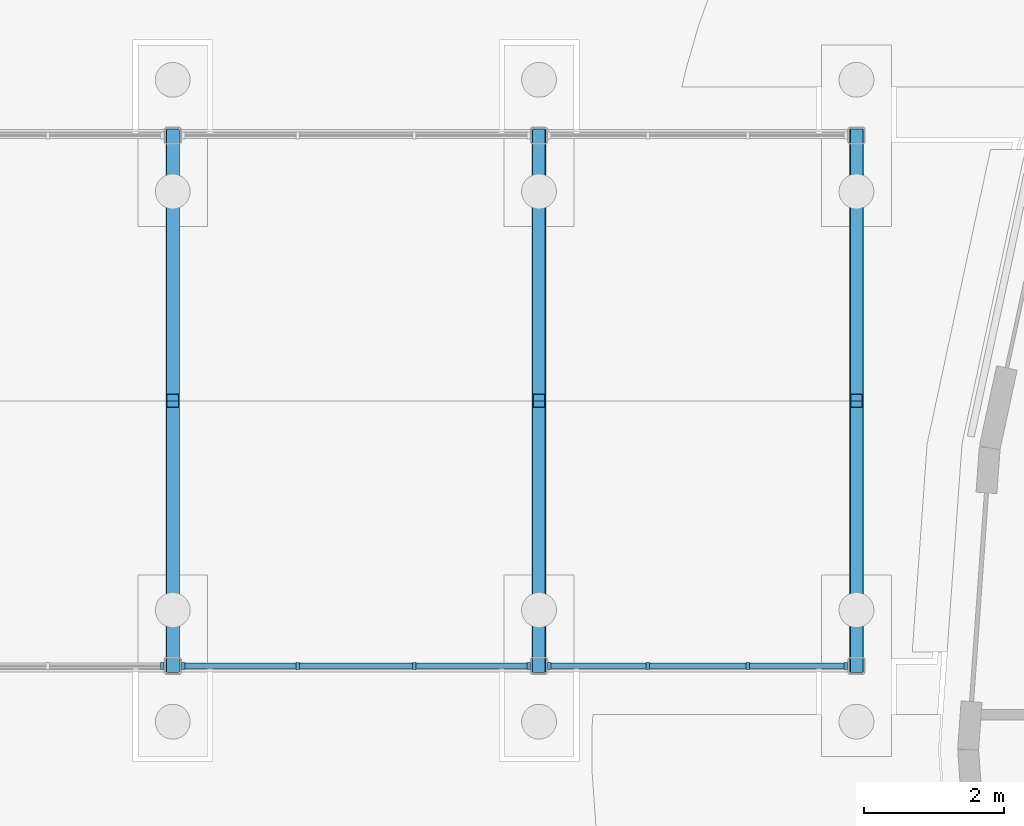
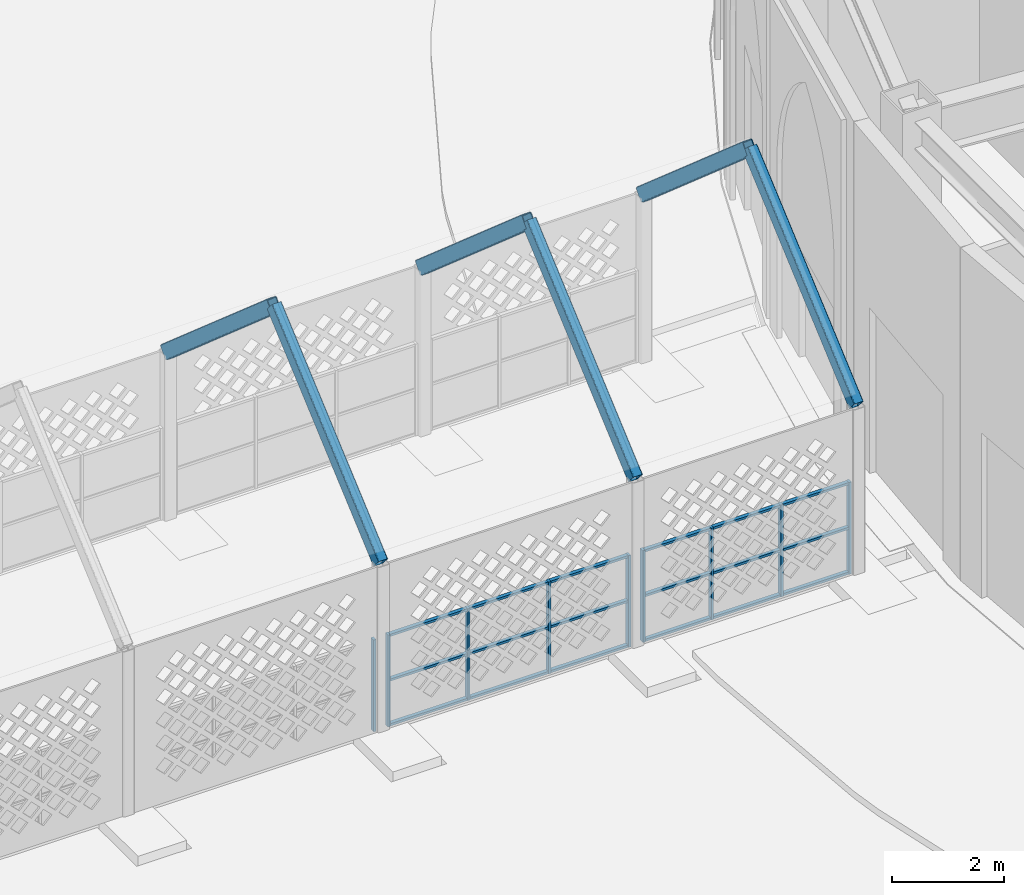
# One storey, part 23 of 79: 33 members, 3 elements without a shape of their own.
"""IFC4 building model written with IfcOpenShell, lengths in metres."""

from ifc_helpers import new_model, si_unit, direction, frame, origin, origin_2d, place, context, subcontext, project, spatial, rectangle, hollow_rectangle, extrude, material, layer, layer_set, material_profile, profile_set, type_object, element, aggregate, save


model = new_model("IFC4")

# Units and contexts
model_context = context("Model", 3, precision=1e-05, world=origin(), true_north=direction((0.0, 1.0)))
body_context = subcontext(model_context, "Body", "Model", "MODEL_VIEW")
ifc_project = project(units=[si_unit("LENGTHUNIT", "METRE"), si_unit("AREAUNIT", "SQUARE_METRE"), si_unit("VOLUMEUNIT", "CUBIC_METRE"), si_unit("PLANEANGLEUNIT", "RADIAN"), si_unit("MASSUNIT", "GRAM", prefix="KILO")], contexts=[model_context])

# Site, building, storey
site_placement = place(None, origin())
site = spatial("IfcSite", under=ifc_project, at=site_placement, CompositionType="ELEMENT")
building_placement = place(site_placement, origin())
building = spatial("IfcBuilding", under=site, at=building_placement, Name="Noorbagh Ring Tower", CompositionType="ELEMENT")
storey_placement = place(building_placement, origin())
storey = spatial("IfcBuildingStorey", under=building, at=storey_placement, Name="L00", CompositionType="ELEMENT", Elevation=0.0)

# Curtain wall, member
ifc_material_1 = material(Name="Aluminium and glass", Category="aluminium")
ifc_layer = layer(ifc_material_1, 0.10009765625)
ifc_layer_set = layer_set([ifc_layer], Name="Aluminium and glass")
curtain_wall_type = type_object("IfcCurtainWallType", Name="AR-CW", PredefinedType="NOTDEFINED", material=ifc_layer_set)
curtain_wall_1_placement = place(storey_placement, origin())
curtain_wall_1 = element("IfcCurtainWall", 1, at=curtain_wall_1_placement, inside=storey, type_object=curtain_wall_type, Name="Arcade glazing", PredefinedType="NOTDEFINED")
ifc_material_2 = material(Name="Aluminium", Category="aluminium")
ifc_material_profile_1 = material_profile(ifc_material_2, rectangle(XDim=0.10009765625, YDim=0.050048828125, at=origin_2d()), Name="AL 100x50")
ifc_profile_set_1 = profile_set([ifc_material_profile_1], Name="Aluminium")
member_type_1 = type_object("IfcMemberType", Name="AR-CW-MULLION", PredefinedType="MULLION", material=ifc_profile_set_1)
member_1_placement = place(storey_placement, frame((-63.14990234375, 1.199951171875, 0.0), z_axis=(0.0, 0.0, 1.0), x_axis=(0.0, 1.0, 0.0)))
member_1 = element("IfcMember", 2, at=member_1_placement, type_object=member_type_1, Name="CW-A mullion 4", PredefinedType="MULLION", context=body_context, shape_type="SweptSolid", body=[
    extrude(rectangle(XDim=0.10009765625, YDim=0.050048828125, at=origin_2d()), origin(), (0.0, 0.0, 1.0), 2.0),
])
aggregate(curtain_wall_1, [member_1])

# Curtain wall, members
curtain_wall_2_placement = place(storey_placement, origin())
curtain_wall_2 = element("IfcCurtainWall", 3, at=curtain_wall_2_placement, inside=storey, type_object=curtain_wall_type, Name="Arcade glazing", PredefinedType="NOTDEFINED")
member_2_placement = place(storey_placement, frame((-62.85009765625, 1.199951171875, 0.0), z_axis=(0.0, 0.0, 1.0), x_axis=(0.0, 1.0, 0.0)))
member_2 = element("IfcMember", 4, at=member_2_placement, type_object=member_type_1, Name="CW-A mullion 1", PredefinedType="MULLION", context=body_context, shape_type="SweptSolid", body=[
    extrude(rectangle(XDim=0.10009765625, YDim=0.050048828125, at=origin_2d()), origin(), (0.0, 0.0, 1.0), 2.0),
])
member_3_placement = place(storey_placement, frame((-61.208251953125, 1.199951171875, 0.0), z_axis=(0.0, 0.0, 1.0), x_axis=(0.0, 1.0, 0.0)))
member_3 = element("IfcMember", 5, at=member_3_placement, type_object=member_type_1, Name="CW-A mullion 2", PredefinedType="MULLION", context=body_context, shape_type="SweptSolid", body=[
    extrude(rectangle(XDim=0.10009765625, YDim=0.050048828125, at=origin_2d()), origin(), (0.0, 0.0, 1.0), 2.0),
])
member_4_placement = place(storey_placement, frame((-59.541748046875, 1.199951171875, 0.0), z_axis=(0.0, 0.0, 1.0), x_axis=(0.0, 1.0, 0.0)))
member_4 = element("IfcMember", 6, at=member_4_placement, type_object=member_type_1, Name="CW-A mullion 3", PredefinedType="MULLION", context=body_context, shape_type="SweptSolid", body=[
    extrude(rectangle(XDim=0.10009765625, YDim=0.050048828125, at=origin_2d()), origin(), (0.0, 0.0, 1.0), 2.0),
])
member_5_placement = place(storey_placement, frame((-57.89990234375, 1.199951171875, 0.0), z_axis=(0.0, 0.0, 1.0), x_axis=(0.0, 1.0, 0.0)))
member_5 = element("IfcMember", 7, at=member_5_placement, type_object=member_type_1, Name="CW-A mullion 4", PredefinedType="MULLION", context=body_context, shape_type="SweptSolid", body=[
    extrude(rectangle(XDim=0.10009765625, YDim=0.050048828125, at=origin_2d()), origin(), (0.0, 0.0, 1.0), 2.0),
])

curtain_wall_3_placement = place(storey_placement, origin())
curtain_wall_3 = element("IfcCurtainWall", 8, at=curtain_wall_3_placement, inside=storey, type_object=curtain_wall_type, Name="Arcade glazing", PredefinedType="NOTDEFINED")
member_6_placement = place(storey_placement, frame((-57.60009765625, 1.199951171875, 0.0), z_axis=(0.0, 0.0, 1.0), x_axis=(0.0, 1.0, 0.0)))
member_6 = element("IfcMember", 9, at=member_6_placement, type_object=member_type_1, Name="CW-A mullion 1", PredefinedType="MULLION", context=body_context, shape_type="SweptSolid", body=[
    extrude(rectangle(XDim=0.10009765625, YDim=0.050048828125, at=origin_2d()), origin(), (0.0, 0.0, 1.0), 2.0),
])
member_7_placement = place(storey_placement, frame((-56.191650390625, 1.199951171875, 0.0), z_axis=(0.0, 0.0, 1.0), x_axis=(0.0, 1.0, 0.0)))
member_7 = element("IfcMember", 10, at=member_7_placement, type_object=member_type_1, Name="CW-A mullion 2", PredefinedType="MULLION", context=body_context, shape_type="SweptSolid", body=[
    extrude(rectangle(XDim=0.10009765625, YDim=0.050048828125, at=origin_2d()), origin(), (0.0, 0.0, 1.0), 2.0),
])
member_8_placement = place(storey_placement, frame((-54.75830078125, 1.199951171875, 0.0), z_axis=(0.0, 0.0, 1.0), x_axis=(0.0, 1.0, 0.0)))
member_8 = element("IfcMember", 11, at=member_8_placement, type_object=member_type_1, Name="CW-A mullion 3", PredefinedType="MULLION", context=body_context, shape_type="SweptSolid", body=[
    extrude(rectangle(XDim=0.10009765625, YDim=0.050048828125, at=origin_2d()), origin(), (0.0, 0.0, 1.0), 2.0),
])
member_9_placement = place(storey_placement, frame((-53.35009765625, 1.199951171875, 0.0), z_axis=(0.0, 0.0, 1.0), x_axis=(0.0, 1.0, 0.0)))
member_9 = element("IfcMember", 12, at=member_9_placement, type_object=member_type_1, Name="CW-A mullion 4", PredefinedType="MULLION", context=body_context, shape_type="SweptSolid", body=[
    extrude(rectangle(XDim=0.10009765625, YDim=0.050048828125, at=origin_2d()), origin(), (0.0, 0.0, 1.0), 2.0),
])

# Member
ifc_material_3 = material(Name="Aluminium", Category="aluminium")
ifc_material_profile_2 = material_profile(ifc_material_3, rectangle(XDim=0.080078125, YDim=0.050048828125, at=origin_2d()), Name="AL 80x50")
ifc_profile_set_2 = profile_set([ifc_material_profile_2], Name="Aluminium")
member_type_2 = type_object("IfcMemberType", Name="AR-CW-TRANSOM", PredefinedType="USERDEFINED", material=ifc_profile_set_2)
member_10_placement = place(storey_placement, frame((-62.824951171875, 1.199951171875, 0.02490234375), z_axis=(1.0, 0.0, 0.0), x_axis=(0.0, 1.0, 0.0)))
member_10 = element("IfcMember", 13, at=member_10_placement, type_object=member_type_2, Name="CW-A transom 1.1", ObjectType="TRANSOM", PredefinedType="USERDEFINED", context=body_context, shape_type="SweptSolid", body=[
    extrude(rectangle(XDim=0.080078125, YDim=0.050048828125, at=origin_2d()), origin(), (0.0, 0.0, 1.0), 1.591552734375),
])

member_11_placement = place(storey_placement, frame((-62.824951171875, 1.199951171875, 1.0), z_axis=(1.0, 0.0, 0.0), x_axis=(0.0, 1.0, 0.0)))
member_11 = element("IfcMember", 14, at=member_11_placement, type_object=member_type_2, Name="CW-A transom 1.2", ObjectType="TRANSOM", PredefinedType="USERDEFINED", context=body_context, shape_type="SweptSolid", body=[
    extrude(rectangle(XDim=0.080078125, YDim=0.050048828125, at=origin_2d()), origin(), (0.0, 0.0, 1.0), 1.591552734375),
])

member_12_placement = place(storey_placement, frame((-62.824951171875, 1.199951171875, 1.97509765625), z_axis=(1.0, 0.0, 0.0), x_axis=(0.0, 1.0, 0.0)))
member_12 = element("IfcMember", 15, at=member_12_placement, type_object=member_type_2, Name="CW-A transom 1.3", ObjectType="TRANSOM", PredefinedType="USERDEFINED", context=body_context, shape_type="SweptSolid", body=[
    extrude(rectangle(XDim=0.080078125, YDim=0.050048828125, at=origin_2d()), origin(), (0.0, 0.0, 1.0), 1.591552734375),
])

member_13_placement = place(storey_placement, frame((-61.183349609375, 1.199951171875, 0.02490234375), z_axis=(1.0, 0.0, 0.0), x_axis=(0.0, 1.0, 0.0)))
member_13 = element("IfcMember", 16, at=member_13_placement, type_object=member_type_2, Name="CW-A transom 2.1", ObjectType="TRANSOM", PredefinedType="USERDEFINED", context=body_context, shape_type="SweptSolid", body=[
    extrude(rectangle(XDim=0.080078125, YDim=0.050048828125, at=origin_2d()), origin(), (0.0, 0.0, 1.0), 1.61669921875),
])

member_14_placement = place(storey_placement, frame((-61.183349609375, 1.199951171875, 1.0), z_axis=(1.0, 0.0, 0.0), x_axis=(0.0, 1.0, 0.0)))
member_14 = element("IfcMember", 17, at=member_14_placement, type_object=member_type_2, Name="CW-A transom 2.2", ObjectType="TRANSOM", PredefinedType="USERDEFINED", context=body_context, shape_type="SweptSolid", body=[
    extrude(rectangle(XDim=0.080078125, YDim=0.050048828125, at=origin_2d()), origin(), (0.0, 0.0, 1.0), 1.61669921875),
])

member_15_placement = place(storey_placement, frame((-61.183349609375, 1.199951171875, 1.97509765625), z_axis=(1.0, 0.0, 0.0), x_axis=(0.0, 1.0, 0.0)))
member_15 = element("IfcMember", 18, at=member_15_placement, type_object=member_type_2, Name="CW-A transom 2.3", ObjectType="TRANSOM", PredefinedType="USERDEFINED", context=body_context, shape_type="SweptSolid", body=[
    extrude(rectangle(XDim=0.080078125, YDim=0.050048828125, at=origin_2d()), origin(), (0.0, 0.0, 1.0), 1.61669921875),
])

member_16_placement = place(storey_placement, frame((-59.5166015625, 1.199951171875, 0.02490234375), z_axis=(1.0, 0.0, 0.0), x_axis=(0.0, 1.0, 0.0)))
member_16 = element("IfcMember", 19, at=member_16_placement, type_object=member_type_2, Name="CW-A transom 3.1", ObjectType="TRANSOM", PredefinedType="USERDEFINED", context=body_context, shape_type="SweptSolid", body=[
    extrude(rectangle(XDim=0.080078125, YDim=0.050048828125, at=origin_2d()), origin(), (0.0, 0.0, 1.0), 1.591552734375),
])

member_17_placement = place(storey_placement, frame((-59.5166015625, 1.199951171875, 1.0), z_axis=(1.0, 0.0, 0.0), x_axis=(0.0, 1.0, 0.0)))
member_17 = element("IfcMember", 20, at=member_17_placement, type_object=member_type_2, Name="CW-A transom 3.2", ObjectType="TRANSOM", PredefinedType="USERDEFINED", context=body_context, shape_type="SweptSolid", body=[
    extrude(rectangle(XDim=0.080078125, YDim=0.050048828125, at=origin_2d()), origin(), (0.0, 0.0, 1.0), 1.591552734375),
])

member_18_placement = place(storey_placement, frame((-59.5166015625, 1.199951171875, 1.97509765625), z_axis=(1.0, 0.0, 0.0), x_axis=(0.0, 1.0, 0.0)))
member_18 = element("IfcMember", 21, at=member_18_placement, type_object=member_type_2, Name="CW-A transom 3.3", ObjectType="TRANSOM", PredefinedType="USERDEFINED", context=body_context, shape_type="SweptSolid", body=[
    extrude(rectangle(XDim=0.080078125, YDim=0.050048828125, at=origin_2d()), origin(), (0.0, 0.0, 1.0), 1.591552734375),
])

aggregate(curtain_wall_2, [member_2, member_3, member_4, member_5, member_10, member_11, member_12, member_13, member_14, member_15, member_16, member_17, member_18])

member_19_placement = place(storey_placement, frame((-57.574951171875, 1.199951171875, 0.02490234375), z_axis=(1.0, 0.0, 0.0), x_axis=(0.0, 1.0, 0.0)))
member_19 = element("IfcMember", 22, at=member_19_placement, type_object=member_type_2, Name="CW-A transom 1.1", ObjectType="TRANSOM", PredefinedType="USERDEFINED", context=body_context, shape_type="SweptSolid", body=[
    extrude(rectangle(XDim=0.080078125, YDim=0.050048828125, at=origin_2d()), origin(), (0.0, 0.0, 1.0), 1.3583984375),
])

member_20_placement = place(storey_placement, frame((-57.574951171875, 1.199951171875, 1.0), z_axis=(1.0, 0.0, 0.0), x_axis=(0.0, 1.0, 0.0)))
member_20 = element("IfcMember", 23, at=member_20_placement, type_object=member_type_2, Name="CW-A transom 1.2", ObjectType="TRANSOM", PredefinedType="USERDEFINED", context=body_context, shape_type="SweptSolid", body=[
    extrude(rectangle(XDim=0.080078125, YDim=0.050048828125, at=origin_2d()), origin(), (0.0, 0.0, 1.0), 1.3583984375),
])

member_21_placement = place(storey_placement, frame((-57.574951171875, 1.199951171875, 1.97509765625), z_axis=(1.0, 0.0, 0.0), x_axis=(0.0, 1.0, 0.0)))
member_21 = element("IfcMember", 24, at=member_21_placement, type_object=member_type_2, Name="CW-A transom 1.3", ObjectType="TRANSOM", PredefinedType="USERDEFINED", context=body_context, shape_type="SweptSolid", body=[
    extrude(rectangle(XDim=0.080078125, YDim=0.050048828125, at=origin_2d()), origin(), (0.0, 0.0, 1.0), 1.3583984375),
])

member_22_placement = place(storey_placement, frame((-56.166748046875, 1.199951171875, 0.02490234375), z_axis=(1.0, 0.0, 0.0), x_axis=(0.0, 1.0, 0.0)))
member_22 = element("IfcMember", 25, at=member_22_placement, type_object=member_type_2, Name="CW-A transom 2.1", ObjectType="TRANSOM", PredefinedType="USERDEFINED", context=body_context, shape_type="SweptSolid", body=[
    extrude(rectangle(XDim=0.080078125, YDim=0.050048828125, at=origin_2d()), origin(), (0.0, 0.0, 1.0), 1.38330078125),
])

member_23_placement = place(storey_placement, frame((-56.166748046875, 1.199951171875, 1.0), z_axis=(1.0, 0.0, 0.0), x_axis=(0.0, 1.0, 0.0)))
member_23 = element("IfcMember", 26, at=member_23_placement, type_object=member_type_2, Name="CW-A transom 2.2", ObjectType="TRANSOM", PredefinedType="USERDEFINED", context=body_context, shape_type="SweptSolid", body=[
    extrude(rectangle(XDim=0.080078125, YDim=0.050048828125, at=origin_2d()), origin(), (0.0, 0.0, 1.0), 1.38330078125),
])

member_24_placement = place(storey_placement, frame((-56.166748046875, 1.199951171875, 1.97509765625), z_axis=(1.0, 0.0, 0.0), x_axis=(0.0, 1.0, 0.0)))
member_24 = element("IfcMember", 27, at=member_24_placement, type_object=member_type_2, Name="CW-A transom 2.3", ObjectType="TRANSOM", PredefinedType="USERDEFINED", context=body_context, shape_type="SweptSolid", body=[
    extrude(rectangle(XDim=0.080078125, YDim=0.050048828125, at=origin_2d()), origin(), (0.0, 0.0, 1.0), 1.38330078125),
])

member_25_placement = place(storey_placement, frame((-54.7333984375, 1.199951171875, 0.02490234375), z_axis=(1.0, 0.0, 0.0), x_axis=(0.0, 1.0, 0.0)))
member_25 = element("IfcMember", 28, at=member_25_placement, type_object=member_type_2, Name="CW-A transom 3.1", ObjectType="TRANSOM", PredefinedType="USERDEFINED", context=body_context, shape_type="SweptSolid", body=[
    extrude(rectangle(XDim=0.080078125, YDim=0.050048828125, at=origin_2d()), origin(), (0.0, 0.0, 1.0), 1.3583984375),
])

member_26_placement = place(storey_placement, frame((-54.7333984375, 1.199951171875, 1.0), z_axis=(1.0, 0.0, 0.0), x_axis=(0.0, 1.0, 0.0)))
member_26 = element("IfcMember", 29, at=member_26_placement, type_object=member_type_2, Name="CW-A transom 3.2", ObjectType="TRANSOM", PredefinedType="USERDEFINED", context=body_context, shape_type="SweptSolid", body=[
    extrude(rectangle(XDim=0.080078125, YDim=0.050048828125, at=origin_2d()), origin(), (0.0, 0.0, 1.0), 1.3583984375),
])

member_27_placement = place(storey_placement, frame((-54.7333984375, 1.199951171875, 1.97509765625), z_axis=(1.0, 0.0, 0.0), x_axis=(0.0, 1.0, 0.0)))
member_27 = element("IfcMember", 30, at=member_27_placement, type_object=member_type_2, Name="CW-A transom 3.3", ObjectType="TRANSOM", PredefinedType="USERDEFINED", context=body_context, shape_type="SweptSolid", body=[
    extrude(rectangle(XDim=0.080078125, YDim=0.050048828125, at=origin_2d()), origin(), (0.0, 0.0, 1.0), 1.3583984375),
])

aggregate(curtain_wall_3, [member_6, member_7, member_8, member_9, member_19, member_20, member_21, member_22, member_23, member_24, member_25, member_26, member_27])

# Members
ifc_material_4 = material(Name="Steel S355", Category="steel")
ifc_material_profile_3 = material_profile(ifc_material_4, hollow_rectangle(XDim=0.199951171875, YDim=0.300048828125, WallThickness=0.012451171875, InnerFilletRadius=0.012451171875, OuterFilletRadius=0.03125, at=origin_2d()), Name="RHS300x200x12.5")
ifc_profile_set_3 = profile_set([ifc_material_profile_3], Name="Steel S355")
member_type_3 = type_object("IfcMemberType", Name="AR-RAFTER", PredefinedType="RAFTER", material=ifc_profile_set_3)
for number, where, z_axis, x_axis, name in (
    (31, (-63.0, 1.199951171875, 3.60009765625), (0.0, 0.755056501482, 0.655659728495), (-1.0, 0.0, 0.0), "L00/ar-bm/7S"),
    (32, (-63.0, 8.800048828125, 3.60009765625), (0.0, -0.755056501482, 0.655659728495), (1.0, 0.0, 0.0), "L00/ar-bm/7N"),
    (33, (-57.75, 1.199951171875, 3.60009765625), (0.0, 0.755056501482, 0.655659728495), (-1.0, 0.0, 0.0), "L00/ar-bm/8S"),
    (34, (-57.75, 8.800048828125, 3.60009765625), (0.0, -0.755056501482, 0.655659728495), (1.0, 0.0, 0.0), "L00/ar-bm/8N"),
    (35, (-53.199951171875, 1.199951171875, 3.60009765625), (0.0, 0.755056501482, 0.655659728495), (-1.0, 0.0, 0.0), "L00/ar-bm/9S"),
    (36, (-53.199951171875, 8.800048828125, 3.60009765625), (0.0, -0.755056501482, 0.655659728495), (1.0, 0.0, 0.0), "L00/ar-bm/9N"),
):
    element("IfcMember", number, at=place(storey_placement, frame(where, z_axis=z_axis, x_axis=x_axis)), inside=storey, type_object=member_type_3, Name=name, PredefinedType="RAFTER", context=body_context, shape_type="SweptSolid", body=[
        extrude(hollow_rectangle(XDim=0.199951171875, YDim=0.300048828125, WallThickness=0.012451171875, InnerFilletRadius=0.012451171875, OuterFilletRadius=0.03125, at=origin_2d()), origin(), (0.0, 0.0, 1.0), 5.03271484375),
    ])

save(model, "model.ifc")
